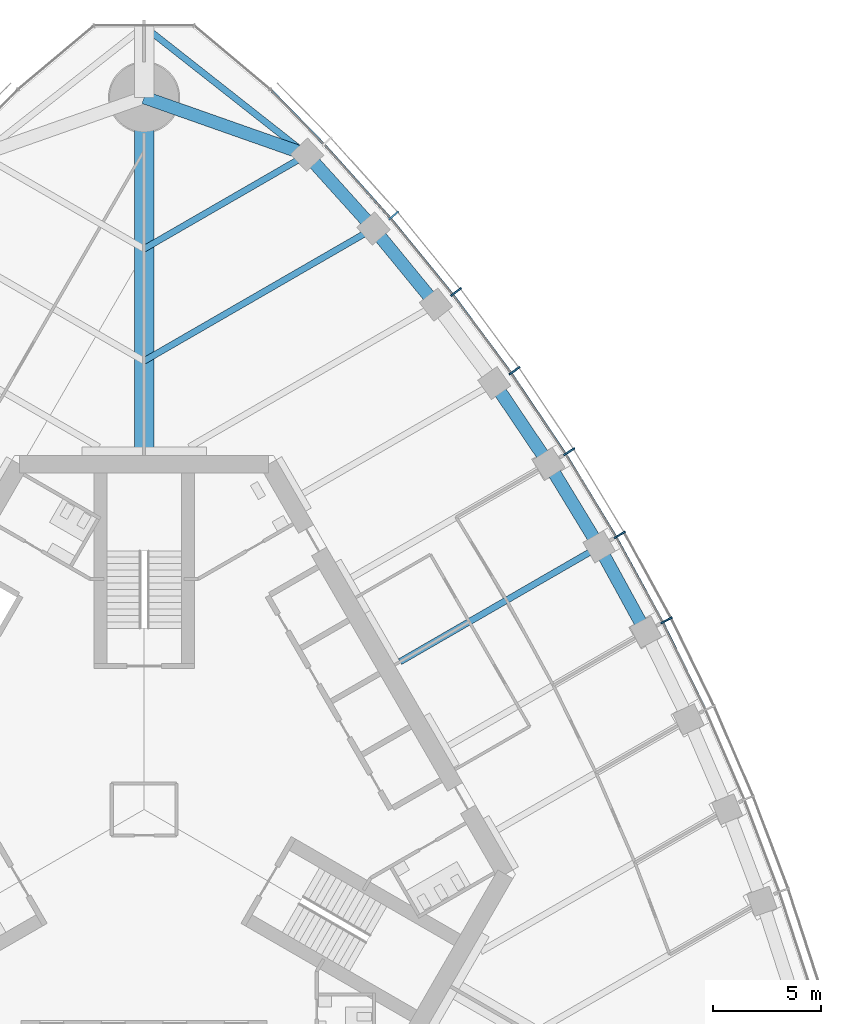
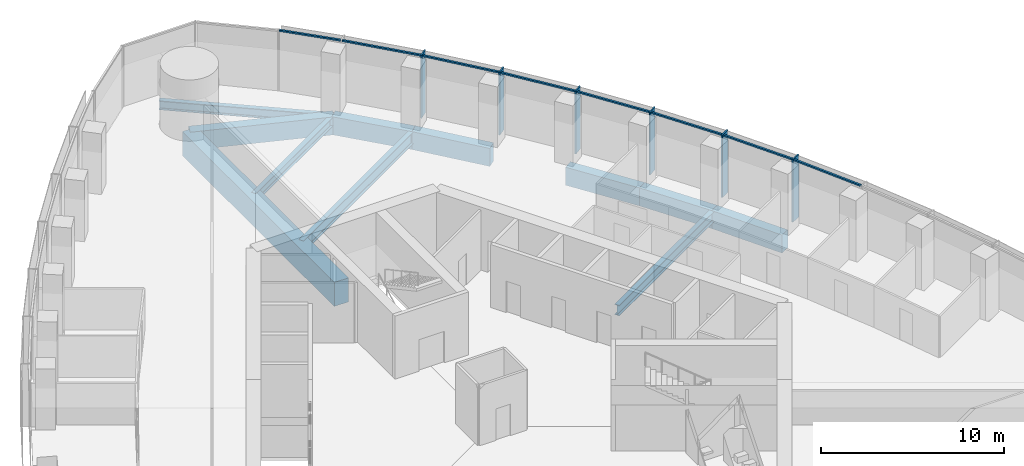
# One storey, part 7 of 20: 14 members, 11 beams, 1 element without a shape of its own.
"""IFC4 building model written with IfcOpenShell, lengths in metres."""

from ifc_helpers import new_model, si_unit, direction, frame, origin, origin_2d, place, context, subcontext, project, spatial, rectangle, i_section, extrude, material, material_profile, profile_set, type_object, element, aggregate, save


model = new_model("IFC4")

# Units and contexts
model_context = context("Model", 3, precision=1e-05, world=origin(), true_north=direction((0.0, 1.0)))
body_context = subcontext(model_context, "Body", "Model", "MODEL_VIEW")
ifc_project = project(units=[si_unit("LENGTHUNIT", "METRE"), si_unit("AREAUNIT", "SQUARE_METRE"), si_unit("VOLUMEUNIT", "CUBIC_METRE"), si_unit("PLANEANGLEUNIT", "RADIAN"), si_unit("MASSUNIT", "GRAM", prefix="KILO")], contexts=[model_context])

# Site, building, storey
site_placement = place(None, origin())
site = spatial("IfcSite", under=ifc_project, at=site_placement, CompositionType="ELEMENT")
building_placement = place(site_placement, origin())
building = spatial("IfcBuilding", under=site, at=building_placement, Name="Trefoil Bronze Tower", CompositionType="ELEMENT")
storey_placement = place(building_placement, frame((0.0, 0.0, 214.89990234375)))
storey = spatial("IfcBuildingStorey", under=building, at=storey_placement, Name="L49", CompositionType="ELEMENT", Elevation=214.89990234375)

# Curtain wall, members
ifc_material_1 = material(Name="Tinted solar-control glass", Category="glass")
curtain_wall_type = type_object("IfcCurtainWallType", Name="Bronze office curtain wall", PredefinedType="USERDEFINED", material=ifc_material_1)
curtain_wall_placement = place(storey_placement, origin())
curtain_wall = element("IfcCurtainWall", 1, at=curtain_wall_placement, inside=storey, type_object=curtain_wall_type, Name="CW-A L49 F2", ObjectType="CURTAIN WALL", PredefinedType="USERDEFINED")
ifc_material_2 = material(Name="Bronze-finish aluminium", Category="aluminium")
ifc_material_profile_1 = material_profile(ifc_material_2, rectangle(XDim=0.60009765625, YDim=0.080078125, at=origin_2d()), Name="CW-A mullion")
ifc_profile_set_1 = profile_set([ifc_material_profile_1], Name="Bronze-finish aluminium")
member_type_1 = type_object("IfcMemberType", Name="Bronze office curtain wall mullion", PredefinedType="MULLION", material=ifc_profile_set_1)
member_1_placement = place(storey_placement, frame((24.2080078125, 8.764404296875, 0.0), z_axis=(0.0, 0.0, 1.0), x_axis=(-0.888088206965, -0.459673075837, 0.0)))
member_1 = element("IfcMember", 2, at=member_1_placement, type_object=member_type_1, Name="CW-A L49 F2 mullion 6", PredefinedType="MULLION", context=body_context, shape_type="SweptSolid", body=[
    extrude(rectangle(XDim=0.60009765625, YDim=0.080078125, at=origin_2d()), origin(), (0.0, 0.0, 1.0), 4.18017578125),
])
member_2_placement = place(storey_placement, frame((22.041015625, 12.725341796875, 0.0), z_axis=(0.0, 0.0, 1.0), x_axis=(-0.866025403784, -0.5, 0.0)))
member_2 = element("IfcMember", 3, at=member_2_placement, type_object=member_type_1, Name="CW-A L49 F2 mullion 7", PredefinedType="MULLION", context=body_context, shape_type="SweptSolid", body=[
    extrude(rectangle(XDim=0.60009765625, YDim=0.080078125, at=origin_2d()), origin(), (0.0, 0.0, 1.0), 4.18017578125),
])
member_3_placement = place(storey_placement, frame((19.694091796875, 16.58251953125, 0.0), z_axis=(0.0, 0.0, 1.0), x_axis=(-0.842132664593, -0.539270410114, 0.0)))
member_3 = element("IfcMember", 4, at=member_3_placement, type_object=member_type_1, Name="CW-A L49 F2 mullion 8", PredefinedType="MULLION", context=body_context, shape_type="SweptSolid", body=[
    extrude(rectangle(XDim=0.60009765625, YDim=0.080078125, at=origin_2d()), origin(), (0.0, 0.0, 1.0), 4.18017578125),
])
member_4_placement = place(storey_placement, frame((17.167236328125, 20.335693359375, 0.0), z_axis=(0.0, 0.0, 1.0), x_axis=(-0.81640398396, -0.577481198806, 0.0)))
member_4 = element("IfcMember", 5, at=member_4_placement, type_object=member_type_1, Name="CW-A L49 F2 mullion 9", PredefinedType="MULLION", context=body_context, shape_type="SweptSolid", body=[
    extrude(rectangle(XDim=0.60009765625, YDim=0.080078125, at=origin_2d()), origin(), (0.0, 0.0, 1.0), 4.18017578125),
])
member_5_placement = place(storey_placement, frame((14.45849609375, 23.98388671875, 0.0), z_axis=(0.0, 0.0, 1.0), x_axis=(-0.788821461078, -0.614622406476, 0.0)))
member_5 = element("IfcMember", 6, at=member_5_placement, type_object=member_type_1, Name="CW-A L49 F2 mullion 10", PredefinedType="MULLION", context=body_context, shape_type="SweptSolid", body=[
    extrude(rectangle(XDim=0.60009765625, YDim=0.080078125, at=origin_2d()), origin(), (0.0, 0.0, 1.0), 4.18017578125),
])
member_6_placement = place(storey_placement, frame((11.564697265625, 27.525146484375, 0.0), z_axis=(0.0, 0.0, 1.0), x_axis=(-0.75935470958, -0.650676897576, 0.0)))
member_6 = element("IfcMember", 7, at=member_6_placement, type_object=member_type_1, Name="CW-A L49 F2 mullion 11", PredefinedType="MULLION", context=body_context, shape_type="SweptSolid", body=[
    extrude(rectangle(XDim=0.60009765625, YDim=0.080078125, at=origin_2d()), origin(), (0.0, 0.0, 1.0), 4.18017578125),
])
ifc_material_3 = material(Name="Bronze-finish aluminium", Category="aluminium")
ifc_material_profile_2 = material_profile(ifc_material_3, rectangle(XDim=0.1201171875, YDim=0.10009765625, at=origin_2d()), Name="CW-A transom")
ifc_profile_set_2 = profile_set([ifc_material_profile_2], Name="Bronze-finish aluminium")
member_type_2 = type_object("IfcMemberType", Name="Bronze office curtain wall transom", PredefinedType="USERDEFINED", material=ifc_profile_set_2)
member_7_placement = place(storey_placement, frame((25.99462890625, 4.65380859375, 4.130126953125), z_axis=(-0.439150835991, 0.898413347657, 0.0), x_axis=(-0.898413347657, -0.439150835991, 0.0)))
member_7 = element("IfcMember", 8, at=member_7_placement, type_object=member_type_2, Name="CW-A L49 F2 transom 5", ObjectType="TRANSOM", PredefinedType="USERDEFINED", context=body_context, shape_type="SweptSolid", body=[
    extrude(rectangle(XDim=0.1201171875, YDim=0.10009765625, at=origin_2d()), origin(), (0.0, 0.0, 1.0), 4.430908203125),
])
member_8_placement = place(storey_placement, frame((24.010009765625, 8.70947265625, 4.130126953125), z_axis=(-0.479973729071, 0.877282861683, 0.0), x_axis=(-0.877282861683, -0.479973729071, 0.0)))
member_8 = element("IfcMember", 9, at=member_8_placement, type_object=member_type_2, Name="CW-A L49 F2 transom 6", ObjectType="TRANSOM", PredefinedType="USERDEFINED", context=body_context, shape_type="SweptSolid", body=[
    extrude(rectangle(XDim=0.1201171875, YDim=0.10009765625, at=origin_2d()), origin(), (0.0, 0.0, 1.0), 4.421142578125),
])
member_9_placement = place(storey_placement, frame((21.845703125, 12.661376953125, 4.130126953125), z_axis=(-0.519740214649, 0.854324358354, 0.0), x_axis=(-0.854324358354, -0.519740214649, 0.0)))
member_9 = element("IfcMember", 10, at=member_9_placement, type_object=member_type_2, Name="CW-A L49 F2 transom 7", ObjectType="TRANSOM", PredefinedType="USERDEFINED", context=body_context, shape_type="SweptSolid", body=[
    extrude(rectangle(XDim=0.1201171875, YDim=0.10009765625, at=origin_2d()), origin(), (0.0, 0.0, 1.0), 4.421142578125),
])
member_10_placement = place(storey_placement, frame((19.502197265625, 16.509765625, 4.130126953125), z_axis=(-0.558509087547, 0.829498402125, 0.0), x_axis=(-0.829498402125, -0.558509087547, 0.0)))
member_10 = element("IfcMember", 11, at=member_10_placement, type_object=member_type_2, Name="CW-A L49 F2 transom 8", ObjectType="TRANSOM", PredefinedType="USERDEFINED", context=body_context, shape_type="SweptSolid", body=[
    extrude(rectangle(XDim=0.1201171875, YDim=0.10009765625, at=origin_2d()), origin(), (0.0, 0.0, 1.0), 4.4306640625),
])
member_11_placement = place(storey_placement, frame((16.978759765625, 20.254150390625, 4.130126953125), z_axis=(-0.59614822717, 0.802874393191, 0.0), x_axis=(-0.802874393191, -0.59614822717, 0.0)))
member_11 = element("IfcMember", 12, at=member_11_placement, type_object=member_type_2, Name="CW-A L49 F2 transom 9", ObjectType="TRANSOM", PredefinedType="USERDEFINED", context=body_context, shape_type="SweptSolid", body=[
    extrude(rectangle(XDim=0.1201171875, YDim=0.10009765625, at=origin_2d()), origin(), (0.0, 0.0, 1.0), 4.449951171875),
])
member_12_placement = place(storey_placement, frame((14.27392578125, 23.8935546875, 4.130126953125), z_axis=(-0.632756871921, 0.774350528531, 0.0), x_axis=(-0.774350528531, -0.632756871921, 0.0)))
member_12 = element("IfcMember", 13, at=member_12_placement, type_object=member_type_2, Name="CW-A L49 F2 transom 10", ObjectType="TRANSOM", PredefinedType="USERDEFINED", context=body_context, shape_type="SweptSolid", body=[
    extrude(rectangle(XDim=0.1201171875, YDim=0.10009765625, at=origin_2d()), origin(), (0.0, 0.0, 1.0), 4.4794921875),
])
member_13_placement = place(storey_placement, frame((11.384521484375, 27.426513671875, 4.130126953125), z_axis=(-0.66825109551, 0.743935799213, 0.0), x_axis=(-0.743935799213, -0.66825109551, 0.0)))
member_13 = element("IfcMember", 14, at=member_13_placement, type_object=member_type_2, Name="CW-A L49 F2 transom 11", ObjectType="TRANSOM", PredefinedType="USERDEFINED", context=body_context, shape_type="SweptSolid", body=[
    extrude(rectangle(XDim=0.1201171875, YDim=0.10009765625, at=origin_2d()), origin(), (0.0, 0.0, 1.0), 4.519287109375),
])
member_14_placement = place(storey_placement, frame((8.306884765625, 30.85009765625, 4.130126953125), z_axis=(-0.698646935368, 0.715466602785, 0.0), x_axis=(-0.715466602785, -0.698646935368, 0.0)))
member_14 = element("IfcMember", 15, at=member_14_placement, type_object=member_type_2, Name="CW-A L49 F2 transom 12", ObjectType="TRANSOM", PredefinedType="USERDEFINED", context=body_context, shape_type="SweptSolid", body=[
    extrude(rectangle(XDim=0.1201171875, YDim=0.10009765625, at=origin_2d()), origin(), (0.0, 0.0, 1.0), 3.483642578125),
])
aggregate(curtain_wall, [member_1, member_2, member_3, member_4, member_5, member_6, member_7, member_8, member_9, member_10, member_11, member_12, member_13, member_14])

# Beams
ifc_material_4 = material(Name="Steel C355", Category="steel")
ifc_material_profile_3 = material_profile(ifc_material_4, i_section(OverallWidth=0.300048828125, OverallDepth=0.60009765625, WebThickness=0.015380859375, FlangeThickness=0.030029296875, FilletRadius=0.027099609375, at=origin_2d()), Name="HEB 600")
ifc_profile_set_3 = profile_set([ifc_material_profile_3], Name="Steel C355")
beam_type_1 = type_object("IfcBeamType", Name="Corner edge beam HEB 600", PredefinedType="BEAM", material=ifc_profile_set_3)
beam_1_placement = place(storey_placement, frame((7.552001953125, 30.3408203125, -0.5), z_axis=(-0.785805912008, 0.618473175371, 0.0), x_axis=(-0.618473175371, -0.785805912008, 0.0)))
element("IfcBeam", 16, at=beam_1_placement, inside=storey, type_object=beam_type_1, Name="Corner edge beam F2A L49", PredefinedType="BEAM", context=body_context, shape_type="SweptSolid", body=[
    extrude(i_section(OverallWidth=0.300048828125, OverallDepth=0.60009765625, WebThickness=0.015380859375, FlangeThickness=0.030029296875, FilletRadius=0.027099609375, at=origin_2d()), origin(), (0.0, 0.0, 1.0), 9.610595703125),
])
ifc_material_5 = material(Name="Concrete B80", Category="concrete")
ifc_material_profile_4 = material_profile(ifc_material_5, rectangle(XDim=0.89990234375, YDim=1.60009765625, at=origin_2d()), Name="RC 900x1600")
ifc_profile_set_4 = profile_set([ifc_material_profile_4], Name="Concrete B80")
beam_type_2 = type_object("IfcBeamType", Name="Corner girder RC 900x1600", PredefinedType="BEAM", material=ifc_profile_set_4)
beam_2_placement = place(storey_placement, frame((0.0, 16.39990234375, -1.0), z_axis=(0.0, 1.0, 0.0), x_axis=(-1.0, 0.0, 0.0)))
element("IfcBeam", 17, at=beam_2_placement, inside=storey, type_object=beam_type_2, Name="Corner girder K2 L49", PredefinedType="BEAM", context=body_context, shape_type="SweptSolid", body=[
    extrude(rectangle(XDim=0.89990234375, YDim=1.60009765625, at=origin_2d()), origin(), (0.0, 0.0, 1.0), 16.60009765625),
])
ifc_material_6 = material(Name="Concrete B80", Category="concrete")
ifc_material_profile_5 = material_profile(ifc_material_6, rectangle(XDim=0.60009765625, YDim=1.199951171875, at=origin_2d()), Name="RC 600x1200")
ifc_profile_set_5 = profile_set([ifc_material_profile_5], Name="Concrete B80")
beam_type_3 = type_object("IfcBeamType", Name="End spandrel beam RC 600x1200", PredefinedType="SPANDREL", material=ifc_profile_set_5)
beam_3_placement = place(storey_placement, frame((7.552001953125, 30.3408203125, -0.7998046875), z_axis=(-0.943234397359, 0.332127794137, 0.0), x_axis=(-0.332127794137, -0.943234397359, 0.0)))
element("IfcBeam", 18, at=beam_3_placement, inside=storey, type_object=beam_type_3, Name="Spandrel F2.12 L49", PredefinedType="SPANDREL", context=body_context, shape_type="SweptSolid", body=[
    extrude(rectangle(XDim=0.60009765625, YDim=1.199951171875, at=origin_2d()), origin(), (0.0, 0.0, 1.0), 8.006591796875),
])
ifc_material_7 = material(Name="Steel C355", Category="steel")
ifc_material_profile_6 = material_profile(ifc_material_7, i_section(OverallWidth=0.300048828125, OverallDepth=0.590087890625, WebThickness=0.012939453125, FlangeThickness=0.02490234375, FilletRadius=0.027099609375, at=origin_2d()), Name="HEA 600")
ifc_profile_set_6 = profile_set([ifc_material_profile_6], Name="Steel C355")
beam_type_4 = type_object("IfcBeamType", Name="Floor beam HEA 600", PredefinedType="BEAM", material=ifc_profile_set_6)
beam_4_placement = place(storey_placement, frame((7.552001953125, 30.3408203125, -0.494873046875), z_axis=(-0.866027535932, -0.499996306993, 0.0), x_axis=(0.499996306993, -0.866027535932, 0.0)))
element("IfcBeam", 19, at=beam_4_placement, inside=storey, type_object=beam_type_4, Name="Floor beam F2/+5 L49", PredefinedType="BEAM", context=body_context, shape_type="SweptSolid", body=[
    extrude(i_section(OverallWidth=0.300048828125, OverallDepth=0.590087890625, WebThickness=0.012939453125, FlangeThickness=0.02490234375, FilletRadius=0.027099609375, at=origin_2d()), origin(), (0.0, 0.0, 1.0), 8.72021484375),
])
ifc_material_8 = material(Name="Steel C355", Category="steel")
ifc_material_profile_7 = material_profile(ifc_material_8, i_section(OverallWidth=0.300048828125, OverallDepth=0.699951171875, WebThickness=0.01708984375, FlangeThickness=0.031982421875, FilletRadius=0.027099609375, at=origin_2d()), Name="HEB 700")
ifc_profile_set_7 = profile_set([ifc_material_profile_7], Name="Steel C355")
beam_type_5 = type_object("IfcBeamType", Name="Floor beam HEB 700", PredefinedType="BEAM", material=ifc_profile_set_7)
beam_5_placement = place(storey_placement, frame((21.08837890625, 12.17529296875, -0.5498046875), z_axis=(-0.866034044198, -0.499985034066, 0.0), x_axis=(0.499985034066, -0.866034044198, 0.0)))
element("IfcBeam", 20, at=beam_5_placement, inside=storey, type_object=beam_type_5, Name="Floor beam F2/+0 L49", PredefinedType="BEAM", context=body_context, shape_type="SweptSolid", body=[
    extrude(i_section(OverallWidth=0.300048828125, OverallDepth=0.699951171875, WebThickness=0.01708984375, FlangeThickness=0.031982421875, FilletRadius=0.027099609375, at=origin_2d()), origin(), (0.0, 0.0, 1.0), 10.650634765625),
])
ifc_material_9 = material(Name="Steel C355", Category="steel")
ifc_material_profile_8 = material_profile(ifc_material_9, i_section(OverallWidth=0.300048828125, OverallDepth=0.800048828125, WebThickness=0.017578125, FlangeThickness=0.032958984375, FilletRadius=0.030029296875, at=origin_2d()), Name="HEB 800")
ifc_profile_set_8 = profile_set([ifc_material_profile_8], Name="Steel C355")
beam_type_6 = type_object("IfcBeamType", Name="Floor beam HEB 800", PredefinedType="BEAM", material=ifc_profile_set_8)
beam_6_placement = place(storey_placement, frame((10.632080078125, 26.923095703125, -0.599853515625), z_axis=(-0.866025635187, -0.499999599199, 0.0), x_axis=(0.499999599199, -0.866025635187, 0.0)))
element("IfcBeam", 21, at=beam_6_placement, inside=storey, type_object=beam_type_6, Name="Floor beam F2/+4 L49", PredefinedType="BEAM", context=body_context, shape_type="SweptSolid", body=[
    extrude(i_section(OverallWidth=0.300048828125, OverallDepth=0.800048828125, WebThickness=0.017578125, FlangeThickness=0.032958984375, FilletRadius=0.030029296875, at=origin_2d()), origin(), (0.0, 0.0, 1.0), 12.27685546875),
])
ifc_material_10 = material(Name="Concrete B80", Category="concrete")
ifc_material_profile_9 = material_profile(ifc_material_10, rectangle(XDim=0.60009765625, YDim=1.199951171875, at=origin_2d()), Name="RC 600x1200")
ifc_profile_set_9 = profile_set([ifc_material_profile_9], Name="Concrete B80")
beam_type_7 = type_object("IfcBeamType", Name="Spandrel beam RC 600x1200", PredefinedType="SPANDREL", material=ifc_profile_set_9)
for number, where, z_axis, x_axis, name in (
    (22, (23.248046875, 8.22607421875, -0.7998046875), (-0.479801903802, 0.87737684783, 0.0), (-0.87737684783, -0.479801903802, 0.0), "Spandrel F2.6 L49"),
    (23, (21.08837890625, 12.17529296875, -0.7998046875), (-0.519933181394, 0.854206934464, 0.0), (-0.854206934464, -0.519933181394, 0.0), "Spandrel F2.7 L49"),
):
    element("IfcBeam", number, at=place(storey_placement, frame(where, z_axis=z_axis, x_axis=x_axis)), inside=storey, type_object=beam_type_7, Name=name, PredefinedType="SPANDREL", context=body_context, shape_type="SweptSolid", body=[
        extrude(rectangle(XDim=0.60009765625, YDim=1.199951171875, at=origin_2d()), origin(), (0.0, 0.0, 1.0), 4.501220703125),
    ])
beam_7_placement = place(storey_placement, frame((18.748046875, 16.020263671875, -0.7998046875), z_axis=(-0.558964302753, 0.829191719838, 0.0), x_axis=(-0.829191719838, -0.558964302753, 0.0)))
element("IfcBeam", 24, at=beam_7_placement, inside=storey, type_object=beam_type_7, Name="Spandrel F2.8 L49", PredefinedType="SPANDREL", context=body_context, shape_type="SweptSolid", body=[
    extrude(rectangle(XDim=0.60009765625, YDim=1.199951171875, at=origin_2d()), origin(), (0.0, 0.0, 1.0), 4.510986328125),
])
beam_8_placement = place(storey_placement, frame((13.522216796875, 23.3955078125, -0.7998046875), z_axis=(-0.633753657863, 0.773534938542, 0.0), x_axis=(-0.773534938542, -0.633753657863, 0.0)))
element("IfcBeam", 25, at=beam_8_placement, inside=storey, type_object=beam_type_7, Name="Spandrel F2.10 L49", PredefinedType="SPANDREL", context=body_context, shape_type="SweptSolid", body=[
    extrude(rectangle(XDim=0.60009765625, YDim=1.199951171875, at=origin_2d()), origin(), (0.0, 0.0, 1.0), 4.560302734375),
])
beam_9_placement = place(storey_placement, frame((10.632080078125, 26.923095703125, -0.7998046875), z_axis=(-0.669460045872, 0.742848064534, 0.0), x_axis=(-0.742848064534, -0.669460045872, 0.0)))
element("IfcBeam", 26, at=beam_9_placement, inside=storey, type_object=beam_type_7, Name="Spandrel F2.11 L49", PredefinedType="SPANDREL", context=body_context, shape_type="SweptSolid", body=[
    extrude(rectangle(XDim=0.60009765625, YDim=1.199951171875, at=origin_2d()), origin(), (0.0, 0.0, 1.0), 4.600830078125),
])

save(model, "model.ifc")
